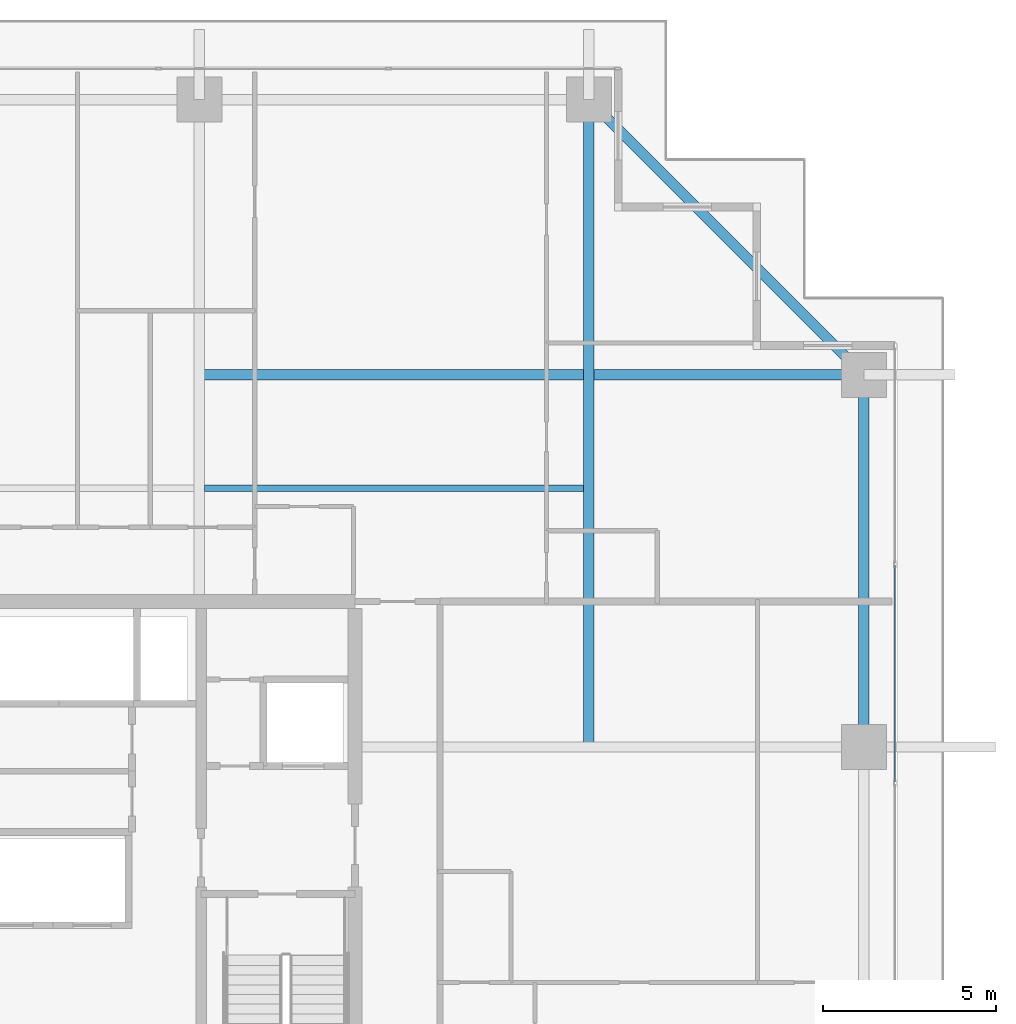
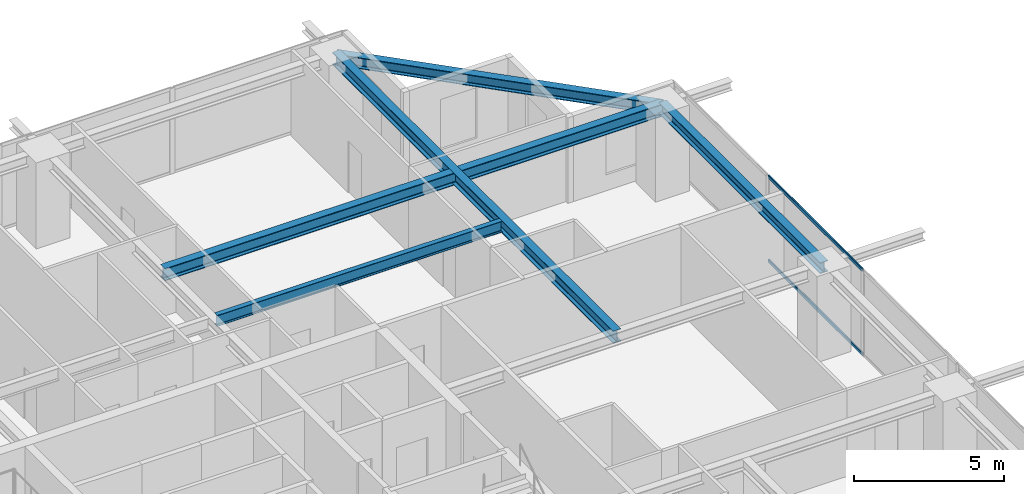
# One storey, part 20 of 35: 5 beams, 2 members, 1 element without a shape of its own.
"""IFC4 building model written with IfcOpenShell, lengths in metres."""

from ifc_helpers import new_model, si_unit, direction, frame, origin, origin_2d, place, context, subcontext, project, spatial, hollow_rectangle, i_section, extrude, source, transform, mapped, material, layer, layer_set, material_profile, profile_set, type_object, element, aggregate, save


model = new_model("IFC4")

# Units and contexts
model_context = context("Model", 3, precision=1e-05, world=origin(), true_north=direction((0.0, 1.0)))
body_context = subcontext(model_context, "Body", "Model", "MODEL_VIEW")
ifc_project = project(units=[si_unit("LENGTHUNIT", "METRE"), si_unit("AREAUNIT", "SQUARE_METRE"), si_unit("VOLUMEUNIT", "CUBIC_METRE"), si_unit("PLANEANGLEUNIT", "RADIAN"), si_unit("MASSUNIT", "GRAM", prefix="KILO")], contexts=[model_context])

# Site, building, storey
site_placement = place(None, origin())
site = spatial("IfcSite", under=ifc_project, at=site_placement, CompositionType="ELEMENT")
building_placement = place(site_placement, origin())
building = spatial("IfcBuilding", under=site, at=building_placement, Name="Serunith Strait Residences", CompositionType="ELEMENT")
storey_placement = place(building_placement, frame((0.0, 0.0, 172.64990234375)))
storey = spatial("IfcBuildingStorey", under=building, at=storey_placement, Name="L43", CompositionType="ELEMENT", Elevation=172.64990234375)

# Beams
ifc_material_1 = material(Name="Steel S355J2", Category="steel")
ifc_material_profile_1 = material_profile(ifc_material_1, i_section(OverallWidth=0.300048828125, OverallDepth=0.5, WebThickness=0.014404296875, FlangeThickness=0.028076171875, FilletRadius=0.027099609375, at=origin_2d()), Name="HEB 500")
ifc_profile_set_1 = profile_set([ifc_material_profile_1], Name="Steel S355J2")
beam_type_1 = type_object("IfcBeamType", Name="BM-HEB500", PredefinedType="BEAM", material=ifc_profile_set_1)
shared_shape_1 = source(origin(), body_context, "Body", "SweptSolid", [
    extrude(i_section(OverallWidth=0.300048828125, OverallDepth=0.5, WebThickness=0.014404296875, FlangeThickness=0.028076171875, FilletRadius=0.027099609375, at=origin_2d()), origin(), (0.0, 0.0, 1.0), 18.7001953125),
])
beam_1_placement = place(storey_placement, frame((48.14990234375, 29.39990234375, 3.237060546875), z_axis=(0.0, 1.0, 0.0), x_axis=(-1.0, 0.0, 0.0)))
element("IfcBeam", 1, at=beam_1_placement, inside=storey, type_object=beam_type_1, Name="L43 Orthogonal Corner Girder TC-N4", PredefinedType="BEAM", context=body_context, shape_type="MappedRepresentation", body=[
    mapped(shared_shape_1, transform((0.0, 0.0, 0.0), scale=1.0)),
])
shared_shape_2 = source(origin(), body_context, "Body", "SweptSolid", [
    extrude(i_section(OverallWidth=0.300048828125, OverallDepth=0.5, WebThickness=0.014404296875, FlangeThickness=0.028076171875, FilletRadius=0.027099609375, at=origin_2d()), origin(), (0.0, 0.0, 1.0), 19.2001953125),
])
beam_2_placement = place(storey_placement, frame((36.89990234375, 40.14990234375, 3.237060546875), z_axis=(1.0, 0.0, 0.0), x_axis=(0.0, 1.0, 0.0)))
element("IfcBeam", 2, at=beam_2_placement, inside=storey, type_object=beam_type_1, Name="L43 Orthogonal Corner Girder TC-E4", PredefinedType="BEAM", context=body_context, shape_type="MappedRepresentation", body=[
    mapped(shared_shape_2, transform((0.0, 0.0, 0.0), scale=1.0)),
])
ifc_material_profile_2 = material_profile(ifc_material_1, i_section(OverallWidth=0.300048828125, OverallDepth=0.449951171875, WebThickness=0.013916015625, FlangeThickness=0.02587890625, FilletRadius=0.027099609375, at=origin_2d()), Name="HEB 450")
ifc_profile_set_2 = profile_set([ifc_material_profile_2], Name="Steel S355J2")
beam_type_2 = type_object("IfcBeamType", Name="BM-HEB450", PredefinedType="BEAM", material=ifc_profile_set_2)
shared_shape_3 = source(origin(), body_context, "Body", "SweptSolid", [
    extrude(i_section(OverallWidth=0.300048828125, OverallDepth=0.449951171875, WebThickness=0.013916015625, FlangeThickness=0.02587890625, FilletRadius=0.027099609375, at=origin_2d()), origin(), (0.0, 0.0, 1.0), 11.2431640625),
])
beam_3_placement = place(storey_placement, frame((56.10009765625, 40.14990234375, 3.232177734375), z_axis=(-0.707106781187, 0.707106781187, 0.0), x_axis=(-0.707106781187, -0.707106781187, 0.0)))
element("IfcBeam", 3, at=beam_3_placement, inside=storey, type_object=beam_type_2, Name="L43 Perimeter Ring Beam 08", PredefinedType="BEAM", context=body_context, shape_type="MappedRepresentation", body=[
    mapped(shared_shape_3, transform((0.0, 0.0, 0.0), scale=1.0)),
])
shared_shape_4 = source(origin(), body_context, "Body", "SweptSolid", [
    extrude(i_section(OverallWidth=0.300048828125, OverallDepth=0.449951171875, WebThickness=0.013916015625, FlangeThickness=0.02587890625, FilletRadius=0.027099609375, at=origin_2d()), origin(), (0.0, 0.0, 1.0), 10.75),
])
beam_4_placement = place(storey_placement, frame((56.10009765625, 29.39990234375, 3.26220703125), z_axis=(0.0, 1.0, 0.0), x_axis=(-1.0, 0.0, 0.0)))
element("IfcBeam", 4, at=beam_4_placement, inside=storey, type_object=beam_type_2, Name="L43 Perimeter Ring Beam 07", PredefinedType="BEAM", context=body_context, shape_type="MappedRepresentation", body=[
    mapped(shared_shape_4, transform((0.0, 0.0, 0.0), scale=1.0)),
])
ifc_material_profile_3 = material_profile(ifc_material_1, i_section(OverallWidth=0.18994140625, OverallDepth=0.449951171875, WebThickness=0.009521484375, FlangeThickness=0.0146484375, FilletRadius=0.02099609375, at=origin_2d()), Name="IPE 450")
ifc_profile_set_3 = profile_set([ifc_material_profile_3], Name="Steel S355J2")
beam_type_3 = type_object("IfcBeamType", Name="BM-IPE450", PredefinedType="JOIST", material=ifc_profile_set_3)
shared_shape_5 = source(origin(), body_context, "Body", "SweptSolid", [
    extrude(i_section(OverallWidth=0.18994140625, OverallDepth=0.449951171875, WebThickness=0.009521484375, FlangeThickness=0.0146484375, FilletRadius=0.02099609375, at=origin_2d()), origin(), (0.0, 0.0, 1.0), 10.949951171875),
])
beam_5_placement = place(storey_placement, frame((37.050048828125, 36.875, 3.26220703125), z_axis=(1.0, 0.0, 0.0), x_axis=(0.0, 1.0, 0.0)))
element("IfcBeam", 5, at=beam_5_placement, inside=storey, type_object=beam_type_3, Name="L43 Composite Floor Joist 06", PredefinedType="JOIST", context=body_context, shape_type="MappedRepresentation", body=[
    mapped(shared_shape_5, transform((0.0, 0.0, 0.0), scale=1.0)),
])

# Curtain wall, members
ifc_material_2 = material(Name="Pale-Champagne Anodised Aluminium", Category="aluminium")
ifc_layer = layer(ifc_material_2, 0.199951171875, Name="Pale-Champagne Anodised Aluminium")
ifc_layer_set = layer_set([ifc_layer], Name="Pale-Champagne Anodised Aluminium")
curtain_wall_type = type_object("IfcCurtainWallType", Name="CW-SYS2", PredefinedType="NOTDEFINED", material=ifc_layer_set)
curtain_wall_placement = place(storey_placement, origin())
curtain_wall = element("IfcCurtainWall", 6, at=curtain_wall_placement, inside=storey, type_object=curtain_wall_type, Name="L43 E Unitised Fritted Curtain Wall", PredefinedType="NOTDEFINED")
ifc_material_profile_4 = material_profile(ifc_material_2, hollow_rectangle(XDim=0.06005859375, YDim=0.139892578125, WallThickness=0.00341796875, InnerFilletRadius=0.00537109375, OuterFilletRadius=0.0087890625, at=origin_2d()), Name="ALU 140x60x3.5")
ifc_profile_set_4 = profile_set([ifc_material_profile_4], Name="Pale-Champagne Anodised Aluminium")
member_type = type_object("IfcMemberType", Name="CW-SYS2-TRAN", PredefinedType="USERDEFINED", material=ifc_profile_set_4)
shared_shape_6 = source(origin(), body_context, "Body", "SweptSolid", [
    extrude(hollow_rectangle(XDim=0.06005859375, YDim=0.139892578125, WallThickness=0.00341796875, InnerFilletRadius=0.00537109375, OuterFilletRadius=0.0087890625, at=origin_2d()), origin(), (0.0, 0.0, 1.0), 6.25),
])
member_1_placement = place(storey_placement, frame((57.0, 28.39501953125, 0.030029296875), z_axis=(0.0, 1.0, 0.0), x_axis=(-1.0, 0.0, 0.0)))
member_1 = element("IfcMember", 7, at=member_1_placement, type_object=member_type, Name="CW-2 transom 4.1", ObjectType="TRANSOM", PredefinedType="USERDEFINED", context=body_context, shape_type="MappedRepresentation", body=[
    mapped(shared_shape_6, transform((0.0, 0.0, 0.0), scale=1.0)),
])
member_2_placement = place(storey_placement, frame((57.0, 28.39501953125, 3.445068359375), z_axis=(0.0, 1.0, 0.0), x_axis=(-1.0, 0.0, 0.0)))
member_2 = element("IfcMember", 8, at=member_2_placement, type_object=member_type, Name="CW-2 transom 4.2", ObjectType="TRANSOM", PredefinedType="USERDEFINED", context=body_context, shape_type="MappedRepresentation", body=[
    mapped(shared_shape_6, transform((0.0, 0.0, 0.0), scale=1.0)),
])
aggregate(curtain_wall, [member_1, member_2])

save(model, "model.ifc")
